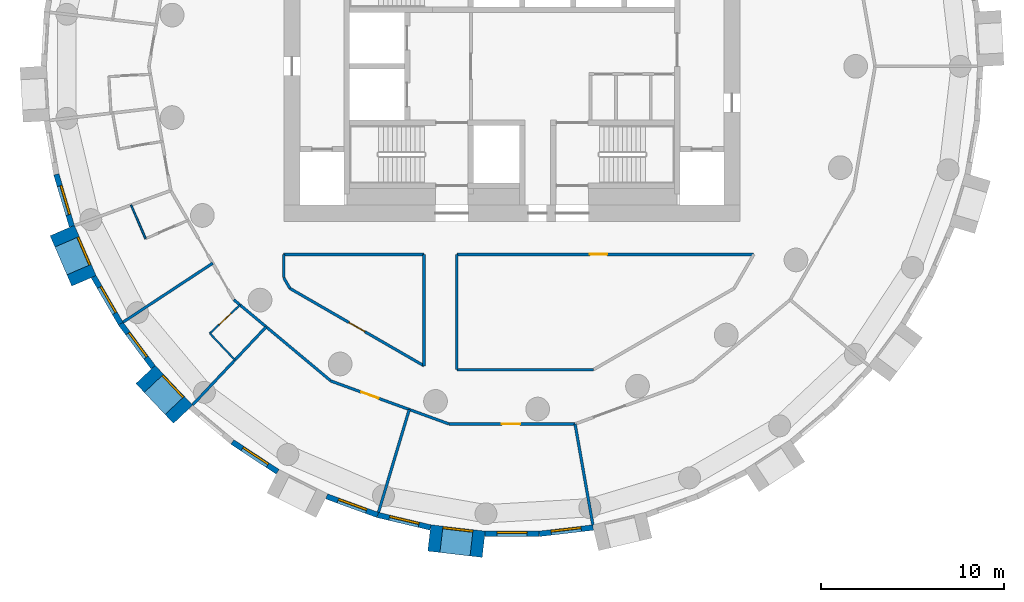
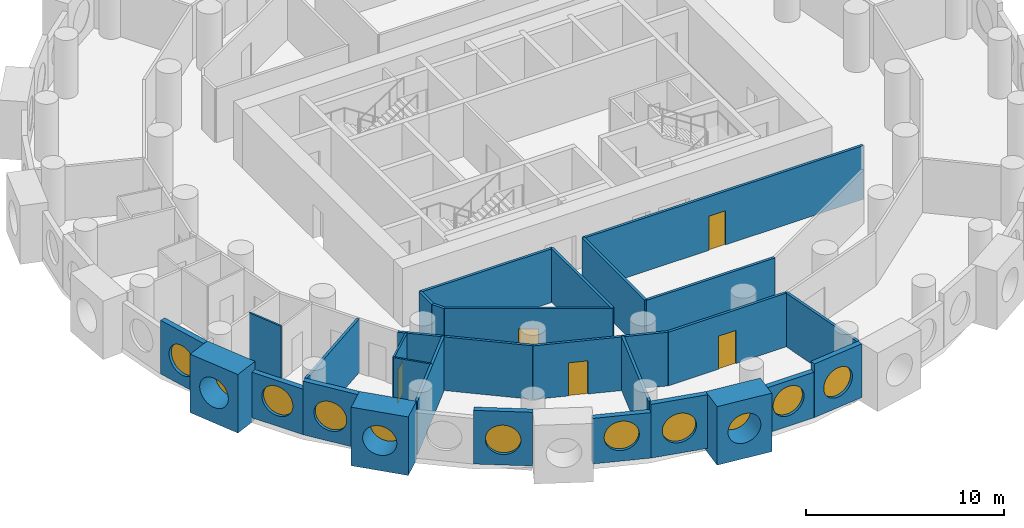
# One storey, part 2 of 9: 29 walls, 11 windows, 5 doors, 16 openings.
"""IFC4 building model written with IfcOpenShell, lengths in metres."""

from ifc_helpers import new_model, si_unit, direction, frame, frame_2d, origin, origin_2d, place, context, subcontext, project, spatial, rectangle, circle, extrude, material, layer, layer_set, type_object, element, fill, save


model = new_model("IFC4")

# Units and contexts
model_context = context("Model", 3, precision=1e-05, world=origin(), true_north=direction((0.0, 1.0)))
body_context = subcontext(model_context, "Body", "Model", "MODEL_VIEW")
ifc_project = project(units=[si_unit("LENGTHUNIT", "METRE"), si_unit("AREAUNIT", "SQUARE_METRE"), si_unit("VOLUMEUNIT", "CUBIC_METRE"), si_unit("PLANEANGLEUNIT", "RADIAN"), si_unit("MASSUNIT", "GRAM", prefix="KILO")], contexts=[model_context])

# Site, building, storey
site_placement = place(None, origin())
site = spatial("IfcSite", under=ifc_project, at=site_placement, CompositionType="ELEMENT")
building_placement = place(site_placement, origin())
building = spatial("IfcBuilding", under=site, at=building_placement, Name="Tracery Tower", CompositionType="ELEMENT")
storey_placement = place(building_placement, frame((0.0, 0.0, 208.800048828125)))
storey = spatial("IfcBuildingStorey", under=building, at=storey_placement, Name="L54", CompositionType="ELEMENT", Elevation=208.800048828125)

# Wall, opening, window
ifc_material_1 = material(Name="Precast concrete C50/60", Category="concrete")
ifc_layer_1 = layer(ifc_material_1, 1.449951171875)
ifc_layer_set_1 = layer_set([ifc_layer_1], Name="Deep-set bay unit 3000 x 3600, slab edge 300")
wall_type_1 = type_object("IfcWallType", Name="Deep-set bay unit 3000 x 3600, slab edge 300", PredefinedType="ELEMENTEDWALL", material=ifc_layer_set_1)
wall_1_placement = place(storey_placement, frame((-24.632080078125, -8.99169921875, -0.300048828125), z_axis=(0.0, 0.0, 1.0), x_axis=(0.396079003245, -0.918216435917, 0.0)))
wall_1 = element("IfcWall", 1, at=wall_1_placement, inside=storey, type_object=wall_type_1, Name="Deep-set bay unit 31 at L54", PredefinedType="ELEMENTEDWALL", context=body_context, shape_type="SweptSolid", body=[
    extrude(rectangle(XDim=3.0, YDim=1.449951171875, at=frame_2d((1.5, 0.0))), origin(), (0.0, 0.0, 1.0), 3.60009765625),
])
opening_1_placement = place(wall_1_placement, frame((1.5, 0.0, 1.85009765625)))
opening_1 = element("IfcOpeningElement", 2, at=opening_1_placement, cuts=wall_1, Name="Opening WN1", PredefinedType="OPENING", context=body_context, shape_type="SweptSolid", body=[
    extrude(circle(Radius=0.9000244140625, at=origin_2d()), frame((0.0, 0.73486328125, 0.0), z_axis=(0.0, -1.0, 0.0), x_axis=(1.0, 0.0, 0.0)), (0.0, 0.0, 1.0), 1.469970703125),
])
ifc_material_2 = material(Name="Aluminium frame with tinted double glazing", Category="aluminium")
window_type = type_object("IfcWindowType", Name="Round window 1800", PartitioningType="SINGLE_PANEL", PredefinedType="WINDOW", material=ifc_material_2)
window_1_placement = place(opening_1_placement, origin())
window_1 = element("IfcWindow", 3, at=window_1_placement, inside=storey, type_object=window_type, Name="Round window 31 at L54", OverallHeight=1.800048828125, OverallWidth=1.800048828125, PartitioningType="SINGLE_PANEL", PredefinedType="WINDOW", context=body_context, shape_type="SweptSolid", body=[
    extrude(circle(Radius=0.9000244140625, at=origin_2d()), frame((0.0, 0.69482421875, 0.0), z_axis=(0.0, -1.0, 0.0), x_axis=(1.0, 0.0, 0.0)), (0.0, 0.0, 1.0), 0.10009765625),
])
fill(opening_1, window_1)

wall_2_placement = place(storey_placement, frame((-20.0712890625, -16.8740234375, -0.300048828125), z_axis=(0.0, 0.0, 1.0), x_axis=(0.686217177108, -0.727396718334, 0.0)))
wall_2 = element("IfcWall", 4, at=wall_2_placement, inside=storey, type_object=wall_type_1, Name="Deep-set bay unit 34 at L54", PredefinedType="ELEMENTEDWALL", context=body_context, shape_type="SweptSolid", body=[
    extrude(rectangle(XDim=3.0, YDim=1.449951171875, at=frame_2d((1.5, 0.0))), origin(), (0.0, 0.0, 1.0), 3.60009765625),
])
opening_2_placement = place(wall_2_placement, frame((1.5, 0.0, 1.85009765625)))
opening_2 = element("IfcOpeningElement", 5, at=opening_2_placement, cuts=wall_2, Name="Opening WN1", PredefinedType="OPENING", context=body_context, shape_type="SweptSolid", body=[
    extrude(circle(Radius=0.9000244140625, at=origin_2d()), frame((0.0, 0.73486328125, 0.0), z_axis=(0.0, -1.0, 0.0), x_axis=(1.0, 0.0, 0.0)), (0.0, 0.0, 1.0), 1.469970703125),
])
window_2_placement = place(opening_2_placement, origin())
window_2 = element("IfcWindow", 6, at=window_2_placement, inside=storey, type_object=window_type, Name="Round window 34 at L54", OverallHeight=1.800048828125, OverallWidth=1.800048828125, PartitioningType="SINGLE_PANEL", PredefinedType="WINDOW", context=body_context, shape_type="SweptSolid", body=[
    extrude(circle(Radius=0.9000244140625, at=origin_2d()), frame((0.0, 0.69482421875, 0.0), z_axis=(0.0, -1.0, 0.0), x_axis=(1.0, 0.0, 0.0)), (0.0, 0.0, 1.0), 0.10009765625),
])
fill(opening_2, window_2)

wall_3_placement = place(storey_placement, frame((-4.529052734375, -25.827880859375, -0.300048828125), z_axis=(0.0, 0.0, 1.0), x_axis=(0.9932342274, -0.116128246006, 0.0)))
wall_3 = element("IfcWall", 7, at=wall_3_placement, inside=storey, type_object=wall_type_1, Name="Deep-set bay unit 40 at L54", PredefinedType="ELEMENTEDWALL", context=body_context, shape_type="SweptSolid", body=[
    extrude(rectangle(XDim=3.0, YDim=1.449951171875, at=frame_2d((1.5, 0.0))), origin(), (0.0, 0.0, 1.0), 3.60009765625),
])
opening_3_placement = place(wall_3_placement, frame((1.5, 0.0, 1.85009765625)))
opening_3 = element("IfcOpeningElement", 8, at=opening_3_placement, cuts=wall_3, Name="Opening WN1", PredefinedType="OPENING", context=body_context, shape_type="SweptSolid", body=[
    extrude(circle(Radius=0.9000244140625, at=origin_2d()), frame((0.0, 0.73486328125, 0.0), z_axis=(0.0, -1.0, 0.0), x_axis=(1.0, 0.0, 0.0)), (0.0, 0.0, 1.0), 1.469970703125),
])
window_3_placement = place(opening_3_placement, origin())
window_3 = element("IfcWindow", 9, at=window_3_placement, inside=storey, type_object=window_type, Name="Round window 40 at L54", OverallHeight=1.800048828125, OverallWidth=1.800048828125, PartitioningType="SINGLE_PANEL", PredefinedType="WINDOW", context=body_context, shape_type="SweptSolid", body=[
    extrude(circle(Radius=0.9000244140625, at=origin_2d()), frame((0.0, 0.69482421875, 0.0), z_axis=(0.0, -1.0, 0.0), x_axis=(1.0, 0.0, 0.0)), (0.0, 0.0, 1.0), 0.10009765625),
])
fill(opening_3, window_3)

ifc_material_3 = material(Name="Precast concrete C50/60", Category="concrete")
ifc_layer_2 = layer(ifc_material_3, 0.300048828125)
ifc_layer_set_2 = layer_set([ifc_layer_2], Name="Facade panel 3000 x 2800")
wall_type_2 = type_object("IfcWallType", Name="Facade panel 3000 x 2800", PredefinedType="SOLIDWALL", material=ifc_layer_set_2)
wall_4_placement = place(storey_placement, frame((-22.91455078125, -11.518798828125, 0.0), z_axis=(0.0, 0.0, 1.0), x_axis=(0.499954672104, -0.866051572276, 0.0)))
wall_4 = element("IfcWall", 10, at=wall_4_placement, inside=storey, type_object=wall_type_2, Name="Facade panel 32 at L54", PredefinedType="SOLIDWALL", context=body_context, shape_type="SweptSolid", body=[
    extrude(rectangle(XDim=2.972900390625, YDim=0.300048828125, at=frame_2d((1.486328125, 0.0))), origin(), (0.0, 0.0, 1.0), 2.800048828125),
])
opening_4_placement = place(wall_4_placement, frame((1.486328125, 0.0, 1.5498046875)))
opening_4 = element("IfcOpeningElement", 11, at=opening_4_placement, cuts=wall_4, Name="Opening WN1", PredefinedType="OPENING", context=body_context, shape_type="SweptSolid", body=[
    extrude(circle(Radius=0.9000244140625, at=origin_2d()), frame((0.0, 0.159912109375, 0.0), z_axis=(0.0, -1.0, 0.0), x_axis=(1.0, 0.0, 0.0)), (0.0, 0.0, 1.0), 0.320068359375),
])
window_4_placement = place(opening_4_placement, origin())
window_4 = element("IfcWindow", 12, at=window_4_placement, inside=storey, type_object=window_type, Name="Round window 32 at L54", OverallHeight=1.800048828125, OverallWidth=1.800048828125, PartitioningType="SINGLE_PANEL", PredefinedType="WINDOW", context=body_context, shape_type="SweptSolid", body=[
    extrude(circle(Radius=0.9000244140625, at=origin_2d()), frame((0.0, 0.1201171875, 0.0), z_axis=(0.0, -1.0, 0.0), x_axis=(1.0, 0.0, 0.0)), (0.0, 0.0, 1.0), 0.10009765625),
])
fill(opening_4, window_4)

wall_5_placement = place(storey_placement, frame((-10.1494140625, -23.55322265625, 0.0), z_axis=(0.0, 0.0, 1.0), x_axis=(0.939690282133, -0.342026568652, 0.0)))
wall_5 = element("IfcWall", 13, at=wall_5_placement, inside=storey, type_object=wall_type_2, Name="Facade panel 38 at L54", PredefinedType="SOLIDWALL", context=body_context, shape_type="SweptSolid", body=[
    extrude(rectangle(XDim=2.972900390625, YDim=0.300048828125, at=frame_2d((1.486328125, 0.0))), origin(), (0.0, 0.0, 1.0), 2.800048828125),
])
opening_5_placement = place(wall_5_placement, frame((1.486328125, 0.0, 1.5498046875)))
opening_5 = element("IfcOpeningElement", 14, at=opening_5_placement, cuts=wall_5, Name="Opening WN1", PredefinedType="OPENING", context=body_context, shape_type="SweptSolid", body=[
    extrude(circle(Radius=0.9000244140625, at=origin_2d()), frame((0.0, 0.159912109375, 0.0), z_axis=(0.0, -1.0, 0.0), x_axis=(1.0, 0.0, 0.0)), (0.0, 0.0, 1.0), 0.320068359375),
])
window_5_placement = place(opening_5_placement, origin())
window_5 = element("IfcWindow", 15, at=window_5_placement, inside=storey, type_object=window_type, Name="Round window 38 at L54", OverallHeight=1.800048828125, OverallWidth=1.800048828125, PartitioningType="SINGLE_PANEL", PredefinedType="WINDOW", context=body_context, shape_type="SweptSolid", body=[
    extrude(circle(Radius=0.9000244140625, at=origin_2d()), frame((0.0, 0.1201171875, 0.0), z_axis=(0.0, -1.0, 0.0), x_axis=(1.0, 0.0, 0.0)), (0.0, 0.0, 1.0), 0.10009765625),
])
fill(opening_5, window_5)

wall_6_placement = place(storey_placement, frame((-1.481689453125, -25.60400390625, 0.0), z_axis=(0.0, 0.0, 1.0), x_axis=(1.0, 0.0, 0.0)))
wall_6 = element("IfcWall", 16, at=wall_6_placement, inside=storey, type_object=wall_type_2, Name="Facade panel 41 at L54", PredefinedType="SOLIDWALL", context=body_context, shape_type="SweptSolid", body=[
    extrude(rectangle(XDim=2.972900390625, YDim=0.300048828125, at=frame_2d((1.486328125, 0.0))), origin(), (0.0, 0.0, 1.0), 2.800048828125),
])
opening_6_placement = place(wall_6_placement, frame((1.486328125, 0.0, 1.5498046875)))
opening_6 = element("IfcOpeningElement", 17, at=opening_6_placement, cuts=wall_6, Name="Opening WN1", PredefinedType="OPENING", context=body_context, shape_type="SweptSolid", body=[
    extrude(circle(Radius=0.9000244140625, at=origin_2d()), frame((0.0, 0.159912109375, 0.0), z_axis=(0.0, -1.0, 0.0), x_axis=(1.0, 0.0, 0.0)), (0.0, 0.0, 1.0), 0.320068359375),
])
window_6_placement = place(opening_6_placement, origin())
window_6 = element("IfcWindow", 18, at=window_6_placement, inside=storey, type_object=window_type, Name="Round window 41 at L54", OverallHeight=1.800048828125, OverallWidth=1.800048828125, PartitioningType="SINGLE_PANEL", PredefinedType="WINDOW", context=body_context, shape_type="SweptSolid", body=[
    extrude(circle(Radius=0.9000244140625, at=origin_2d()), frame((0.0, 0.1201171875, 0.0), z_axis=(0.0, -1.0, 0.0), x_axis=(1.0, 0.0, 0.0)), (0.0, 0.0, 1.0), 0.10009765625),
])
fill(opening_6, window_6)

ifc_material_4 = material(Name="Precast concrete C50/60", Category="concrete")
ifc_layer_3 = layer(ifc_material_4, 0.300048828125)
ifc_layer_set_3 = layer_set([ifc_layer_3], Name="Facade panel 3000 x 3300")
wall_type_3 = type_object("IfcWallType", Name="Facade panel 3000 x 3300", PredefinedType="SOLIDWALL", material=ifc_layer_set_3)
wall_7_placement = place(storey_placement, frame((-24.9560546875, -5.914794921875, 0.0), z_axis=(0.0, 0.0, 1.0), x_axis=(0.286782750849, -0.957995643944, 0.0)))
wall_7 = element("IfcWall", 19, at=wall_7_placement, inside=storey, type_object=wall_type_3, Name="Facade panel 30 at L54", PredefinedType="SOLIDWALL", context=body_context, shape_type="SweptSolid", body=[
    extrude(rectangle(XDim=2.97265625, YDim=0.300048828125, at=frame_2d((1.486328125, 0.0))), origin(), (0.0, 0.0, 1.0), 3.300048828125),
])
opening_7_placement = place(wall_7_placement, frame((1.486328125, 0.0, 1.5498046875)))
opening_7 = element("IfcOpeningElement", 20, at=opening_7_placement, cuts=wall_7, Name="Opening WN1", PredefinedType="OPENING", context=body_context, shape_type="SweptSolid", body=[
    extrude(circle(Radius=0.9000244140625, at=origin_2d()), frame((0.0, 0.159912109375, 0.0), z_axis=(0.0, -1.0, 0.0), x_axis=(1.0, 0.0, 0.0)), (0.0, 0.0, 1.0), 0.320068359375),
])
window_7_placement = place(opening_7_placement, origin())
window_7 = element("IfcWindow", 21, at=window_7_placement, inside=storey, type_object=window_type, Name="Round window 30 at L54", OverallHeight=1.800048828125, OverallWidth=1.800048828125, PartitioningType="SINGLE_PANEL", PredefinedType="WINDOW", context=body_context, shape_type="SweptSolid", body=[
    extrude(circle(Radius=0.9000244140625, at=origin_2d()), frame((0.0, 0.1201171875, 0.0), z_axis=(0.0, -1.0, 0.0), x_axis=(1.0, 0.0, 0.0)), (0.0, 0.0, 1.0), 0.10009765625),
])
fill(opening_7, window_7)

wall_8_placement = place(storey_placement, frame((-21.42822265625, -14.093505859375, 0.0), z_axis=(0.0, 0.0, 1.0), x_axis=(0.597197580538, -0.80209416517, 0.0)))
wall_8 = element("IfcWall", 22, at=wall_8_placement, inside=storey, type_object=wall_type_3, Name="Facade panel 33 at L54", PredefinedType="SOLIDWALL", context=body_context, shape_type="SweptSolid", body=[
    extrude(rectangle(XDim=2.972900390625, YDim=0.300048828125, at=frame_2d((1.486328125, 0.0))), origin(), (0.0, 0.0, 1.0), 3.300048828125),
])
opening_8_placement = place(wall_8_placement, frame((1.486328125, 0.0, 1.5498046875)))
opening_8 = element("IfcOpeningElement", 23, at=opening_8_placement, cuts=wall_8, Name="Opening WN1", PredefinedType="OPENING", context=body_context, shape_type="SweptSolid", body=[
    extrude(circle(Radius=0.9000244140625, at=origin_2d()), frame((0.0, 0.159912109375, 0.0), z_axis=(0.0, -1.0, 0.0), x_axis=(1.0, 0.0, 0.0)), (0.0, 0.0, 1.0), 0.320068359375),
])
window_8_placement = place(opening_8_placement, origin())
window_8 = element("IfcWindow", 24, at=window_8_placement, inside=storey, type_object=window_type, Name="Round window 33 at L54", OverallHeight=1.800048828125, OverallWidth=1.800048828125, PartitioningType="SINGLE_PANEL", PredefinedType="WINDOW", context=body_context, shape_type="SweptSolid", body=[
    extrude(circle(Radius=0.9000244140625, at=origin_2d()), frame((0.0, 0.1201171875, 0.0), z_axis=(0.0, -1.0, 0.0), x_axis=(1.0, 0.0, 0.0)), (0.0, 0.0, 1.0), 0.10009765625),
])
fill(opening_8, window_8)

wall_9_placement = place(storey_placement, frame((-15.315673828125, -20.572509765625, 0.0), z_axis=(0.0, 0.0, 1.0), x_axis=(0.835508361394, -0.54947773207, 0.0)))
wall_9 = element("IfcWall", 25, at=wall_9_placement, inside=storey, type_object=wall_type_3, Name="Facade panel 36 at L54", PredefinedType="SOLIDWALL", context=body_context, shape_type="SweptSolid", body=[
    extrude(rectangle(XDim=2.972900390625, YDim=0.300048828125, at=frame_2d((1.486328125, 0.0))), origin(), (0.0, 0.0, 1.0), 3.300048828125),
])
opening_9_placement = place(wall_9_placement, frame((1.486328125, 0.0, 1.5498046875)))
opening_9 = element("IfcOpeningElement", 26, at=opening_9_placement, cuts=wall_9, Name="Opening WN1", PredefinedType="OPENING", context=body_context, shape_type="SweptSolid", body=[
    extrude(circle(Radius=0.9000244140625, at=origin_2d()), frame((0.0, 0.159912109375, 0.0), z_axis=(0.0, -1.0, 0.0), x_axis=(1.0, 0.0, 0.0)), (0.0, 0.0, 1.0), 0.320068359375),
])
window_9_placement = place(opening_9_placement, origin())
window_9 = element("IfcWindow", 27, at=window_9_placement, inside=storey, type_object=window_type, Name="Round window 36 at L54", OverallHeight=1.800048828125, OverallWidth=1.800048828125, PartitioningType="SINGLE_PANEL", PredefinedType="WINDOW", context=body_context, shape_type="SweptSolid", body=[
    extrude(circle(Radius=0.9000244140625, at=origin_2d()), frame((0.0, 0.1201171875, 0.0), z_axis=(0.0, -1.0, 0.0), x_axis=(1.0, 0.0, 0.0)), (0.0, 0.0, 1.0), 0.10009765625),
])
fill(opening_9, window_9)

wall_10_placement = place(storey_placement, frame((-7.355712890625, -24.570068359375, 0.0), z_axis=(0.0, 0.0, 1.0), x_axis=(0.973045378923, -0.230613725862, 0.0)))
wall_10 = element("IfcWall", 28, at=wall_10_placement, inside=storey, type_object=wall_type_3, Name="Facade panel 39 at L54", PredefinedType="SOLIDWALL", context=body_context, shape_type="SweptSolid", body=[
    extrude(rectangle(XDim=2.97265625, YDim=0.300048828125, at=frame_2d((1.486328125, 0.0))), origin(), (0.0, 0.0, 1.0), 3.300048828125),
])
opening_10_placement = place(wall_10_placement, frame((1.486328125, 0.0, 1.5498046875)))
opening_10 = element("IfcOpeningElement", 29, at=opening_10_placement, cuts=wall_10, Name="Opening WN1", PredefinedType="OPENING", context=body_context, shape_type="SweptSolid", body=[
    extrude(circle(Radius=0.9000244140625, at=origin_2d()), frame((0.0, 0.159912109375, 0.0), z_axis=(0.0, -1.0, 0.0), x_axis=(1.0, 0.0, 0.0)), (0.0, 0.0, 1.0), 0.320068359375),
])
window_10_placement = place(opening_10_placement, origin())
window_10 = element("IfcWindow", 30, at=window_10_placement, inside=storey, type_object=window_type, Name="Round window 39 at L54", OverallHeight=1.800048828125, OverallWidth=1.800048828125, PartitioningType="SINGLE_PANEL", PredefinedType="WINDOW", context=body_context, shape_type="SweptSolid", body=[
    extrude(circle(Radius=0.9000244140625, at=origin_2d()), frame((0.0, 0.1201171875, 0.0), z_axis=(0.0, -1.0, 0.0), x_axis=(1.0, 0.0, 0.0)), (0.0, 0.0, 1.0), 0.10009765625),
])
fill(opening_10, window_10)

wall_11_placement = place(storey_placement, frame((1.4912109375, -25.60400390625, 0.0), z_axis=(0.0, 0.0, 1.0), x_axis=(0.993245010522, 0.1160359818, 0.0)))
wall_11 = element("IfcWall", 31, at=wall_11_placement, inside=storey, type_object=wall_type_3, Name="Facade panel 42 at L54", PredefinedType="SOLIDWALL", context=body_context, shape_type="SweptSolid", body=[
    extrude(rectangle(XDim=2.972900390625, YDim=0.300048828125, at=frame_2d((1.486328125, 0.0))), origin(), (0.0, 0.0, 1.0), 3.300048828125),
])
opening_11_placement = place(wall_11_placement, frame((1.486328125, 0.0, 1.5498046875)))
opening_11 = element("IfcOpeningElement", 32, at=opening_11_placement, cuts=wall_11, Name="Opening WN1", PredefinedType="OPENING", context=body_context, shape_type="SweptSolid", body=[
    extrude(circle(Radius=0.9000244140625, at=origin_2d()), frame((0.0, 0.159912109375, 0.0), z_axis=(0.0, -1.0, 0.0), x_axis=(1.0, 0.0, 0.0)), (0.0, 0.0, 1.0), 0.320068359375),
])
window_11_placement = place(opening_11_placement, origin())
window_11 = element("IfcWindow", 33, at=window_11_placement, inside=storey, type_object=window_type, Name="Round window 42 at L54", OverallHeight=1.800048828125, OverallWidth=1.800048828125, PartitioningType="SINGLE_PANEL", PredefinedType="WINDOW", context=body_context, shape_type="SweptSolid", body=[
    extrude(circle(Radius=0.9000244140625, at=origin_2d()), frame((0.0, 0.1201171875, 0.0), z_axis=(0.0, -1.0, 0.0), x_axis=(1.0, 0.0, 0.0)), (0.0, 0.0, 1.0), 0.10009765625),
])
fill(opening_11, window_11)

# Wall
ifc_material_5 = material(Name="Plasterboard on steel studs", Category="steel")
ifc_layer_4 = layer(ifc_material_5, 0.10009765625)
ifc_layer_set_4 = layer_set([ifc_layer_4], Name="Partition 100 wet wall")
wall_type_4 = type_object("IfcWallType", Name="Partition 100 wet wall", PredefinedType="PARTITIONING", material=ifc_layer_set_4)
wall_12_placement = place(storey_placement, frame((-20.862060546875, -7.593017578125, 0.0), z_axis=(0.0, 0.0, 1.0), x_axis=(0.395972527348, -0.918262357709, 0.0)))
element("IfcWall", 34, at=wall_12_placement, inside=storey, type_object=wall_type_4, Name="Wet wall RB8-055", PredefinedType="PARTITIONING", context=body_context, shape_type="SweptSolid", body=[
    extrude(rectangle(XDim=2.008056640625, YDim=0.10009765625, at=frame_2d((1.00390625, 0.0))), origin(), (0.0, 0.0, 1.0), 3.300048828125),
])

# Wall, opening, door
wall_13_placement = place(storey_placement, frame((-16.549072265625, -14.6259765625, 0.0), z_axis=(0.0, 0.0, 1.0), x_axis=(0.727754926423, 0.68583727448, 0.0)))
wall_13 = element("IfcWall", 35, at=wall_13_placement, inside=storey, type_object=wall_type_4, Name="Wet wall RB8-058", PredefinedType="PARTITIONING", context=body_context, shape_type="SweptSolid", body=[
    extrude(rectangle(XDim=2.271484375, YDim=0.10009765625, at=frame_2d((1.1357421875, 0.0))), origin(), (0.0, 0.0, 1.0), 3.300048828125),
])
opening_12_placement = place(wall_13_placement, frame((0.685546875, 0.0, 0.0)))
opening_12 = element("IfcOpeningElement", 36, at=opening_12_placement, cuts=wall_13, Name="Opening RB8-17", PredefinedType="OPENING", context=body_context, shape_type="SweptSolid", body=[
    extrude(rectangle(XDim=0.89990234375, YDim=2.0400390625, at=frame_2d((0.449951171875, 1.02001953125))), frame((0.0, 0.050048828125, 0.0), z_axis=(0.0, -1.0, 0.0), x_axis=(1.0, 0.0, 0.0)), (0.0, 0.0, 1.0), 0.10009765625),
])
ifc_material_6 = material(Name="Timber door leaf", Category="wood")
door_type_1 = type_object("IfcDoorType", Name="Door en-suite 900", OperationType="NOTDEFINED", PredefinedType="DOOR", material=ifc_material_6)
door_1_placement = place(opening_12_placement, origin())
door_1 = element("IfcDoor", 37, at=door_1_placement, inside=storey, type_object=door_type_1, Name="En-suite door RB8-17", OperationType="SINGLE_SWING_RIGHT", OverallHeight=2.0400390625, OverallWidth=0.89990234375, PredefinedType="DOOR", context=body_context, shape_type="SweptSolid", body=[
    extrude(rectangle(XDim=0.89990234375, YDim=2.0400390625, at=frame_2d((0.449951171875, 1.02001953125))), frame((0.0, 0.02490234375, 0.0), z_axis=(0.0, -1.0, 0.0), x_axis=(1.0, 0.0, 0.0)), (0.0, 0.0, 1.0), 0.050048828125),
])
fill(opening_12, door_1)

# Walls
wall_14_placement = place(storey_placement, frame((-16.549072265625, -14.6259765625, 0.0), z_axis=(0.0, 0.0, 1.0), x_axis=(0.686337209023, -0.727283462971, 0.0)))
element("IfcWall", 38, at=wall_14_placement, inside=storey, type_object=wall_type_4, Name="Wet wall RB8-059", PredefinedType="PARTITIONING", context=body_context, shape_type="SweptSolid", body=[
    extrude(rectangle(XDim=2.00341796875, YDim=0.10009765625, at=frame_2d((1.001708984375, 0.0))), origin(), (0.0, 0.0, 1.0), 3.300048828125),
])
ifc_material_7 = material(Name="Plasterboard on steel studs", Category="steel")
ifc_layer_5 = layer(ifc_material_7, 0.14990234375)
ifc_layer_set_5 = layer_set([ifc_layer_5], Name="Partition 150 acoustic unit wall")
wall_type_5 = type_object("IfcWallType", Name="Partition 150 acoustic unit wall", PredefinedType="PARTITIONING", material=ifc_layer_set_5)
wall_15_placement = place(storey_placement, frame((-21.302978515625, -14.010986328125, 0.0), z_axis=(0.0, 0.0, 1.0), x_axis=(0.835534987945, 0.54943724293, 0.0)))
element("IfcWall", 39, at=wall_15_placement, inside=storey, type_object=wall_type_5, Name="Unit wall RB8-057", PredefinedType="PARTITIONING", context=body_context, shape_type="SweptSolid", body=[
    extrude(rectangle(XDim=5.878662109375, YDim=0.14990234375, at=frame_2d((2.939453125, 0.0))), origin(), (0.0, 0.0, 1.0), 3.300048828125),
])
wall_16_placement = place(storey_placement, frame((-17.4970703125, -18.5458984375, 0.0), z_axis=(0.0, 0.0, 1.0), x_axis=(0.68614289064, 0.727466792111, 0.0)))
element("IfcWall", 40, at=wall_16_placement, inside=storey, type_object=wall_type_5, Name="Unit wall RB8-060", PredefinedType="PARTITIONING", context=body_context, shape_type="SweptSolid", body=[
    extrude(rectangle(XDim=5.87841796875, YDim=0.14990234375, at=frame_2d((2.939208984375, 0.0))), origin(), (0.0, 0.0, 1.0), 3.300048828125),
])
wall_17_placement = place(storey_placement, frame((-7.31298828125, -24.426025390625, 0.0), z_axis=(0.0, 0.0, 1.0), x_axis=(0.286833432865, 0.957980470464, 0.0)))
element("IfcWall", 41, at=wall_17_placement, inside=storey, type_object=wall_type_5, Name="Unit wall RB8-061", PredefinedType="PARTITIONING", context=body_context, shape_type="SweptSolid", body=[
    extrude(rectangle(XDim=5.878173828125, YDim=0.14990234375, at=frame_2d((2.93896484375, 0.0))), origin(), (0.0, 0.0, 1.0), 3.300048828125),
])
wall_18_placement = place(storey_placement, frame((3.452880859375, -19.5859375, 0.0), z_axis=(0.0, 0.0, 1.0), x_axis=(0.17382754149, -0.984776109489, 0.0)))
element("IfcWall", 42, at=wall_18_placement, inside=storey, type_object=wall_type_5, Name="Unit wall RB8-062", PredefinedType="PARTITIONING", context=body_context, shape_type="SweptSolid", body=[
    extrude(rectangle(XDim=5.609619140625, YDim=0.14990234375, at=frame_2d((2.8046875, 0.0))), origin(), (0.0, 0.0, 1.0), 3.300048828125),
])
ifc_material_8 = material(Name="Plasterboard on steel studs", Category="steel")
ifc_layer_6 = layer(ifc_material_8, 0.14990234375)
ifc_layer_set_6 = layer_set([ifc_layer_6], Name="Partition 150 corridor wall")
wall_type_6 = type_object("IfcWallType", Name="Partition 150 corridor wall", PredefinedType="PARTITIONING", material=ifc_layer_set_6)
wall_19_placement = place(storey_placement, frame((-12.50390625, -10.300048828125, 0.0), z_axis=(0.0, 0.0, 1.0), x_axis=(1.0, 0.0, 0.0)))
element("IfcWall", 43, at=wall_19_placement, inside=storey, type_object=wall_type_6, Name="Corridor wall RB8-003", PredefinedType="PARTITIONING", context=body_context, shape_type="SweptSolid", body=[
    extrude(rectangle(XDim=7.68701171875, YDim=0.14990234375, at=frame_2d((3.843505859375, 0.0))), origin(), (0.0, 0.0, 1.0), 3.300048828125),
])

# Wall, opening, door
wall_20_placement = place(storey_placement, frame((-3.02490234375, -10.300048828125, 0.0), z_axis=(0.0, 0.0, 1.0), x_axis=(1.0, 0.0, 0.0)))
wall_20 = element("IfcWall", 44, at=wall_20_placement, inside=storey, type_object=wall_type_6, Name="Corridor wall RB8-004", PredefinedType="PARTITIONING", context=body_context, shape_type="SweptSolid", body=[
    extrude(rectangle(XDim=16.261962890625, YDim=0.14990234375, at=frame_2d((8.130859375, 0.0))), origin(), (0.0, 0.0, 1.0), 3.300048828125),
])
opening_13_placement = place(wall_20_placement, frame((7.287109375, 0.0, 0.0)))
opening_13 = element("IfcOpeningElement", 45, at=opening_13_placement, cuts=wall_20, Name="Opening RB8-04", PredefinedType="OPENING", context=body_context, shape_type="SweptSolid", body=[
    extrude(rectangle(XDim=0.949951171875, YDim=2.10009765625, at=frame_2d((0.47509765625, 1.050048828125))), frame((0.0, 0.074951171875, 0.0), z_axis=(0.0, -1.0, 0.0), x_axis=(1.0, 0.0, 0.0)), (0.0, 0.0, 1.0), 0.14990234375),
])
ifc_material_9 = material(Name="Timber door leaf", Category="wood")
door_type_2 = type_object("IfcDoorType", Name="Door store 950", OperationType="NOTDEFINED", PredefinedType="DOOR", material=ifc_material_9)
door_2_placement = place(opening_13_placement, origin())
door_2 = element("IfcDoor", 46, at=door_2_placement, inside=storey, type_object=door_type_2, Name="Store door RB8-04", OperationType="SINGLE_SWING_RIGHT", OverallHeight=2.10009765625, OverallWidth=0.949951171875, PredefinedType="DOOR", context=body_context, shape_type="SweptSolid", body=[
    extrude(rectangle(XDim=0.949951171875, YDim=2.10009765625, at=frame_2d((0.47509765625, 1.050048828125))), frame((0.0, 0.02490234375, 0.0), z_axis=(0.0, -1.0, 0.0), x_axis=(1.0, 0.0, 0.0)), (0.0, 0.0, 1.0), 0.050048828125),
])
fill(opening_13, door_2)

# Walls
wall_21_placement = place(storey_placement, frame((-12.5, -11.576904296875, 0.0), z_axis=(0.0, 0.0, 1.0), x_axis=(0.0, 1.0, 0.0)))
element("IfcWall", 47, at=wall_21_placement, inside=storey, type_object=wall_type_6, Name="Corridor wall RB8-024", PredefinedType="PARTITIONING", context=body_context, shape_type="SweptSolid", body=[
    extrude(rectangle(XDim=1.27685546875, YDim=0.14990234375, at=frame_2d((0.638427734375, 0.0))), origin(), (0.0, 0.0, 1.0), 3.300048828125),
])
wall_22_placement = place(storey_placement, frame((-12.5, -11.576904296875, 0.0), z_axis=(0.0, 0.0, 1.0), x_axis=(0.500024767483, -0.866011103799, 0.0)))
element("IfcWall", 48, at=wall_22_placement, inside=storey, type_object=wall_type_6, Name="Corridor wall RB8-025", PredefinedType="PARTITIONING", context=body_context, shape_type="SweptSolid", body=[
    extrude(rectangle(XDim=0.67578125, YDim=0.14990234375, at=frame_2d((0.337890625, 0.0))), origin(), (0.0, 0.0, 1.0), 3.300048828125),
])
wall_23_placement = place(storey_placement, frame((-15.235107421875, -12.783935546875, 0.0), z_axis=(0.0, 0.0, 1.0), x_axis=(0.767110396068, -0.641515113029, 0.0)))
element("IfcWall", 49, at=wall_23_placement, inside=storey, type_object=wall_type_6, Name="Corridor wall RB8-031", PredefinedType="PARTITIONING", context=body_context, shape_type="SweptSolid", body=[
    extrude(rectangle(XDim=6.906494140625, YDim=0.14990234375, at=frame_2d((3.453125, 0.0))), origin(), (0.0, 0.0, 1.0), 3.300048828125),
])

# Wall, opening, door
wall_24_placement = place(storey_placement, frame((-12.162109375, -12.162109375, 0.0), z_axis=(0.0, 0.0, 1.0), x_axis=(0.866004766557, -0.500035743023, 0.0)))
wall_24 = element("IfcWall", 50, at=wall_24_placement, inside=storey, type_object=wall_type_6, Name="Corridor wall RB8-032", PredefinedType="PARTITIONING", context=body_context, shape_type="SweptSolid", body=[
    extrude(rectangle(XDim=8.47705078125, YDim=0.14990234375, at=frame_2d((4.238525390625, 0.0))), origin(), (0.0, 0.0, 1.0), 3.300048828125),
])
opening_14_placement = place(wall_24_placement, frame((3.738037109375, 0.0, 0.0)))
opening_14 = element("IfcOpeningElement", 51, at=opening_14_placement, cuts=wall_24, Name="Opening RB8-03", PredefinedType="OPENING", context=body_context, shape_type="SweptSolid", body=[
    extrude(rectangle(XDim=1.0, YDim=2.0400390625, at=frame_2d((0.5, 1.02001953125))), frame((0.0, 0.074951171875, 0.0), z_axis=(0.0, -1.0, 0.0), x_axis=(1.0, 0.0, 0.0)), (0.0, 0.0, 1.0), 0.14990234375),
])
ifc_material_10 = material(Name="Timber door leaf", Category="wood")
door_type_3 = type_object("IfcDoorType", Name="Door communal room 1000", OperationType="NOTDEFINED", PredefinedType="DOOR", material=ifc_material_10)
door_3_placement = place(opening_14_placement, origin())
door_3 = element("IfcDoor", 52, at=door_3_placement, inside=storey, type_object=door_type_3, Name="Communal room door RB8-03", OperationType="SINGLE_SWING_LEFT", OverallHeight=2.0400390625, OverallWidth=1.0, PredefinedType="DOOR", context=body_context, shape_type="SweptSolid", body=[
    extrude(rectangle(XDim=1.0, YDim=2.0400390625, at=frame_2d((0.5, 1.02001953125))), frame((0.0, 0.02490234375, 0.0), z_axis=(0.0, -1.0, 0.0), x_axis=(1.0, 0.0, 0.0)), (0.0, 0.0, 1.0), 0.050048828125),
])
fill(opening_14, door_3)

# Walls
wall_25_placement = place(storey_placement, frame((-4.821044921875, -16.40087890625, 0.0), z_axis=(0.0, 0.0, 1.0), x_axis=(0.0, 1.0, 0.0)))
element("IfcWall", 53, at=wall_25_placement, inside=storey, type_object=wall_type_6, Name="Corridor wall RB8-033", PredefinedType="PARTITIONING", context=body_context, shape_type="SweptSolid", body=[
    extrude(rectangle(XDim=6.100830078125, YDim=0.14990234375, at=frame_2d((3.05029296875, 0.0))), origin(), (0.0, 0.0, 1.0), 3.300048828125),
])
wall_26_placement = place(storey_placement, frame((-3.02099609375, -16.614013671875, 0.0), z_axis=(0.0, 0.0, 1.0), x_axis=(0.0, 1.0, 0.0)))
element("IfcWall", 54, at=wall_26_placement, inside=storey, type_object=wall_type_6, Name="Corridor wall RB8-034", PredefinedType="PARTITIONING", context=body_context, shape_type="SweptSolid", body=[
    extrude(rectangle(XDim=6.31396484375, YDim=0.14990234375, at=frame_2d((3.156982421875, 0.0))), origin(), (0.0, 0.0, 1.0), 3.300048828125),
])
wall_27_placement = place(storey_placement, frame((-3.02099609375, -16.614013671875, 0.0), z_axis=(0.0, 0.0, 1.0), x_axis=(1.0, 0.0, 0.0)))
element("IfcWall", 55, at=wall_27_placement, inside=storey, type_object=wall_type_6, Name="Corridor wall RB8-035", PredefinedType="PARTITIONING", context=body_context, shape_type="SweptSolid", body=[
    extrude(rectangle(XDim=7.472900390625, YDim=0.14990234375, at=frame_2d((3.736328125, 0.0))), origin(), (0.0, 0.0, 1.0), 3.300048828125),
])

# Wall, opening, door
wall_28_placement = place(storey_placement, frame((-9.944091796875, -17.222900390625, 0.0), z_axis=(0.0, 0.0, 1.0), x_axis=(0.939672634566, -0.342075050021, 0.0)))
wall_28 = element("IfcWall", 56, at=wall_28_placement, inside=storey, type_object=wall_type_6, Name="Corridor wall RB8-037", PredefinedType="PARTITIONING", context=body_context, shape_type="SweptSolid", body=[
    extrude(rectangle(XDim=6.907958984375, YDim=0.14990234375, at=frame_2d((3.4541015625, 0.0))), origin(), (0.0, 0.0, 1.0), 3.300048828125),
])
opening_15_placement = place(wall_28_placement, frame((1.79931640625, 0.0, 0.0)))
opening_15 = element("IfcOpeningElement", 57, at=opening_15_placement, cuts=wall_28, Name="Opening RB8-19", PredefinedType="OPENING", context=body_context, shape_type="SweptSolid", body=[
    extrude(rectangle(XDim=1.0, YDim=2.0400390625, at=frame_2d((0.5, 1.02001953125))), frame((0.0, 0.074951171875, 0.0), z_axis=(0.0, -1.0, 0.0), x_axis=(1.0, 0.0, 0.0)), (0.0, 0.0, 1.0), 0.14990234375),
])
door_4_placement = place(opening_15_placement, origin())
door_4 = element("IfcDoor", 58, at=door_4_placement, inside=storey, type_object=door_type_3, Name="Communal room door RB8-19", OperationType="SINGLE_SWING_LEFT", OverallHeight=2.0400390625, OverallWidth=1.0, PredefinedType="DOOR", context=body_context, shape_type="SweptSolid", body=[
    extrude(rectangle(XDim=1.0, YDim=2.0400390625, at=frame_2d((0.5, 1.02001953125))), frame((0.0, 0.02490234375, 0.0), z_axis=(0.0, -1.0, 0.0), x_axis=(1.0, 0.0, 0.0)), (0.0, 0.0, 1.0), 0.050048828125),
])
fill(opening_15, door_4)

wall_29_placement = place(storey_placement, frame((-3.452880859375, -19.5859375, 0.0), z_axis=(0.0, 0.0, 1.0), x_axis=(1.0, 0.0, 0.0)))
wall_29 = element("IfcWall", 59, at=wall_29_placement, inside=storey, type_object=wall_type_6, Name="Corridor wall RB8-038", PredefinedType="PARTITIONING", context=body_context, shape_type="SweptSolid", body=[
    extrude(rectangle(XDim=6.90576171875, YDim=0.14990234375, at=frame_2d((3.452880859375, 0.0))), origin(), (0.0, 0.0, 1.0), 3.300048828125),
])
opening_16_placement = place(wall_29_placement, frame((2.903076171875, 0.0, 0.0)))
opening_16 = element("IfcOpeningElement", 60, at=opening_16_placement, cuts=wall_29, Name="Opening RB8-20", PredefinedType="OPENING", context=body_context, shape_type="SweptSolid", body=[
    extrude(rectangle(XDim=1.0, YDim=2.0400390625, at=frame_2d((0.5, 1.02001953125))), frame((0.0, 0.074951171875, 0.0), z_axis=(0.0, -1.0, 0.0), x_axis=(1.0, 0.0, 0.0)), (0.0, 0.0, 1.0), 0.14990234375),
])
door_5_placement = place(opening_16_placement, origin())
door_5 = element("IfcDoor", 61, at=door_5_placement, inside=storey, type_object=door_type_3, Name="Communal room door RB8-20", OperationType="SINGLE_SWING_RIGHT", OverallHeight=2.0400390625, OverallWidth=1.0, PredefinedType="DOOR", context=body_context, shape_type="SweptSolid", body=[
    extrude(rectangle(XDim=1.0, YDim=2.0400390625, at=frame_2d((0.5, 1.02001953125))), frame((0.0, 0.02490234375, 0.0), z_axis=(0.0, -1.0, 0.0), x_axis=(1.0, 0.0, 0.0)), (0.0, 0.0, 1.0), 0.050048828125),
])
fill(opening_16, door_5)

save(model, "model.ifc")
